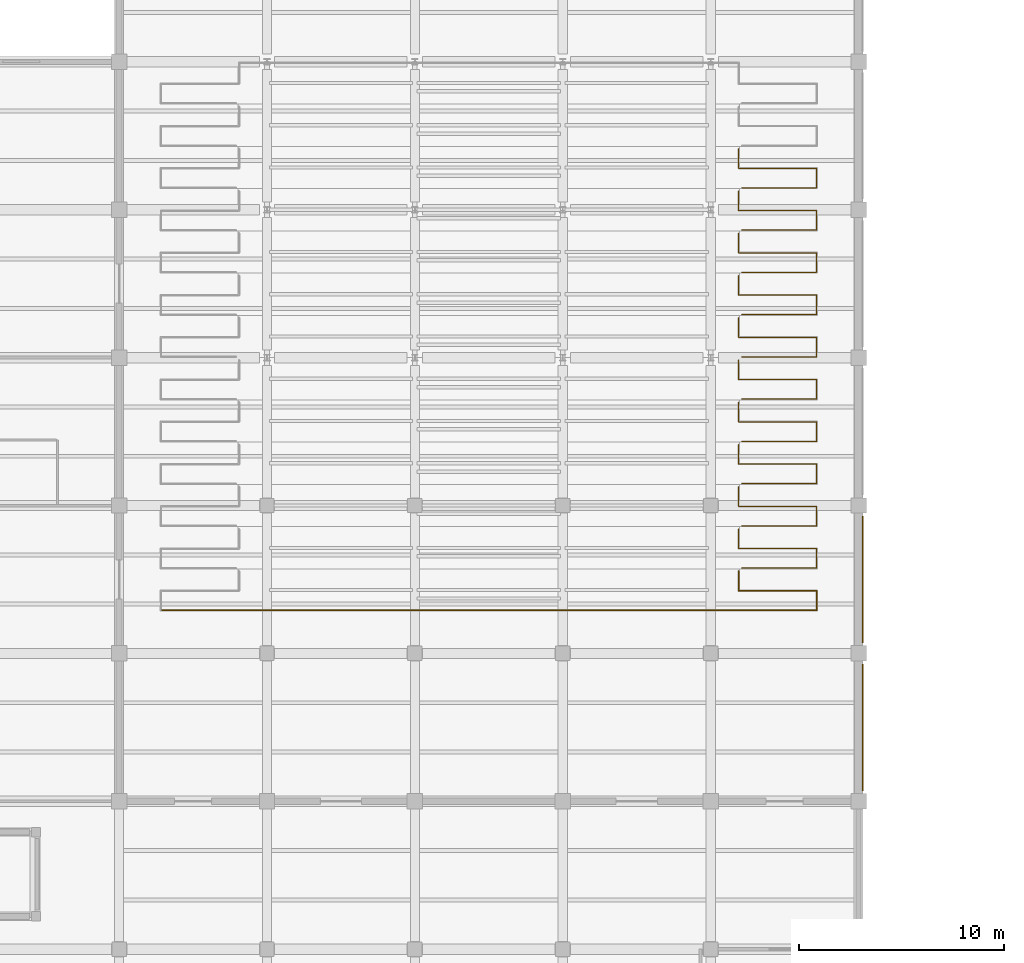
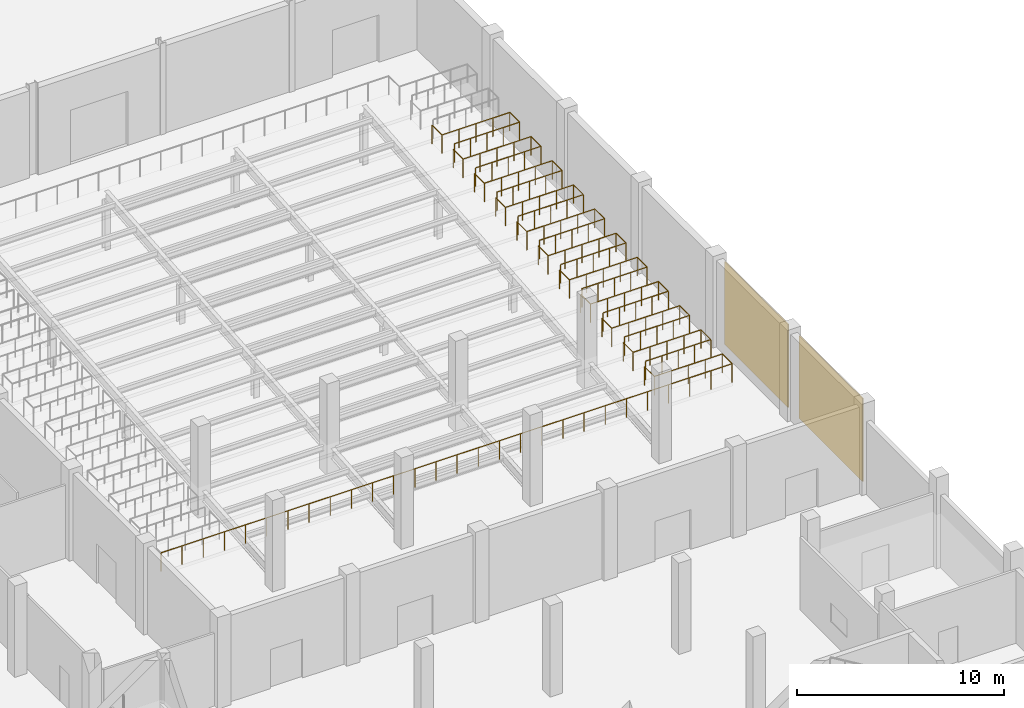
# One storey, part 39 of 46: 11 railings, 2 coverings.
"""IFC4 building model written with IfcOpenShell, lengths in metres."""

from ifc_helpers import new_model, si_unit, direction, frame, origin, origin_2d, place, context, subcontext, project, spatial, rectangle, circle, extrude, material, layer, layer_set, type_object, element, save


model = new_model("IFC4")

# Units and contexts
model_context = context("Model", 3, precision=1e-05, world=origin(), true_north=direction((0.0, 1.0)))
body_context = subcontext(model_context, "Body", "Model", "MODEL_VIEW")
ifc_project = project(units=[si_unit("LENGTHUNIT", "METRE"), si_unit("AREAUNIT", "SQUARE_METRE"), si_unit("VOLUMEUNIT", "CUBIC_METRE"), si_unit("PLANEANGLEUNIT", "RADIAN"), si_unit("MASSUNIT", "GRAM", prefix="KILO"), si_unit("THERMODYNAMICTEMPERATUREUNIT", "KELVIN"), si_unit("POWERUNIT", "WATT")], contexts=[model_context])

# Site, building, storey
site_placement = place(None, origin())
site = spatial("IfcSite", under=ifc_project, at=site_placement, CompositionType="ELEMENT")
building_placement = place(site_placement, origin())
building = spatial("IfcBuilding", under=site, at=building_placement, Name="Kaldorven Railside Theatre", CompositionType="ELEMENT")
storey_placement = place(building_placement, origin())
storey = spatial("IfcBuildingStorey", under=building, at=storey_placement, Name="L00", CompositionType="ELEMENT", Elevation=0.0)

# Coverings
ifc_material_1 = material(Name="Bush-hammered precast concrete C40/50", Category="concrete")
ifc_layer = layer(ifc_material_1, 0.050048828125, Name="Bush-hammered precast concrete C40/50")
ifc_layer_set = layer_set([ifc_layer], Name="Bush-hammered precast concrete C40/50")
covering_type = type_object("IfcCoveringType", Name="COV-CLD-01", PredefinedType="CLADDING", material=ifc_layer_set)
for number, where, z_axis, x_axis, name in (
    (1, (123.410888671875, 51.60009765625, 0.10009765625), (0.0, 0.0, 1.0), (0.0, -1.0, 0.0), "Bush-Hammered Laterite Rainscreen Panel CLD-005"),
    (2, (123.410888671875, 44.39990234375, 0.10009765625), (0.0, 0.0, 1.0), (0.0, -1.0, 0.0), "Bush-Hammered Laterite Rainscreen Panel CLD-006"),
):
    element("IfcCovering", number, at=place(storey_placement, frame(where, z_axis=z_axis, x_axis=x_axis)), inside=storey, type_object=covering_type, Name=name, PredefinedType="CLADDING", context=body_context, shape_type="SweptSolid", body=[
        extrude(rectangle(XDim=6.14990234375, YDim=0.050048828125, at=origin_2d()), origin(), (0.0, 0.0, 1.0), 4.89990234375),
    ])

# Railings
ifc_material_2 = material(Name="Anodised bronze aluminium", Category="aluminium")
railing_type = type_object("IfcRailingType", Name="RLG-BAL-1100", PredefinedType="BALUSTRADE", material=ifc_material_2)
railing_1_placement = place(storey_placement, frame((117.360107421875, 51.993896484375, 1.429931640625)))
element("IfcRailing", 3, at=railing_1_placement, inside=storey, type_object=railing_type, Name="L00 Auditorium Tier Safety Guard GR-002", PredefinedType="BALUSTRADE", context=body_context, shape_type="SweptSolid", body=[
    extrude(circle(Radius=0.02392578125, at=origin_2d()), frame((0.0, 0.0, 1.09619140625), z_axis=(0.0, -1.0, 0.0), x_axis=(1.0, 0.0, 0.0)), (0.0, 0.0, 1.0), 0.947998046875),
    extrude(circle(Radius=0.02392578125, at=origin_2d()), frame((0.0, -0.947998046875, 1.09619140625), z_axis=(1.0, 0.0, 0.0), x_axis=(0.0, 1.0, 0.0)), (0.0, 0.0, 1.0), 3.7998046875),
    extrude(circle(Radius=0.02392578125, at=origin_2d()), frame((3.7998046875, -0.947998046875, 1.09619140625), z_axis=(0.0, -1.0, 0.0), x_axis=(1.0, 0.0, 0.0)), (0.0, 0.0, 1.0), 0.948974609375),
    extrude(circle(Radius=0.02392578125, at=origin_2d()), frame((3.7998046875, -1.89697265625, 1.09619140625), z_axis=(-1.0, 0.0, 0.0), x_axis=(0.0, -1.0, 0.0)), (0.0, 0.0, 1.0), 31.919921875),
    extrude(circle(Radius=0.02099609375, at=origin_2d()), origin(), (0.0, 0.0, 1.0), 1.072021484375),
    extrude(circle(Radius=0.02099609375, at=origin_2d()), frame((0.0, -0.947998046875, 0.0)), (0.0, 0.0, 1.0), 1.072021484375),
    extrude(circle(Radius=0.02099609375, at=origin_2d()), frame((0.949951171875, -0.947998046875, 0.0)), (0.0, 0.0, 1.0), 1.072021484375),
    extrude(circle(Radius=0.02099609375, at=origin_2d()), frame((1.89990234375, -0.947998046875, 0.0)), (0.0, 0.0, 1.0), 1.072021484375),
    extrude(circle(Radius=0.02099609375, at=origin_2d()), frame((2.849853515625, -0.947998046875, 0.0)), (0.0, 0.0, 1.0), 1.072021484375),
    extrude(circle(Radius=0.02099609375, at=origin_2d()), frame((3.7998046875, -0.947998046875, 0.0)), (0.0, 0.0, 1.0), 1.072021484375),
    extrude(circle(Radius=0.02099609375, at=origin_2d()), frame((3.7998046875, -1.89697265625, 0.0)), (0.0, 0.0, 1.0), 1.072021484375),
    extrude(circle(Radius=0.02099609375, at=origin_2d()), frame((2.61767578125, -1.89697265625, 0.0)), (0.0, 0.0, 1.0), 1.072021484375),
    extrude(circle(Radius=0.02099609375, at=origin_2d()), frame((1.435302734375, -1.89697265625, 0.0)), (0.0, 0.0, 1.0), 1.072021484375),
    extrude(circle(Radius=0.02099609375, at=origin_2d()), frame((0.253173828125, -1.89697265625, 0.0)), (0.0, 0.0, 1.0), 1.072021484375),
    extrude(circle(Radius=0.02099609375, at=origin_2d()), frame((-0.928955078125, -1.89697265625, 0.0)), (0.0, 0.0, 1.0), 1.072021484375),
    extrude(circle(Radius=0.02099609375, at=origin_2d()), frame((-2.111328125, -1.89697265625, 0.0)), (0.0, 0.0, 1.0), 1.072021484375),
    extrude(circle(Radius=0.02099609375, at=origin_2d()), frame((-3.29345703125, -1.89697265625, 0.0)), (0.0, 0.0, 1.0), 1.072021484375),
    extrude(circle(Radius=0.02099609375, at=origin_2d()), frame((-4.475830078125, -1.89697265625, 0.0)), (0.0, 0.0, 1.0), 1.072021484375),
    extrude(circle(Radius=0.02099609375, at=origin_2d()), frame((-5.657958984375, -1.89697265625, 0.0)), (0.0, 0.0, 1.0), 1.072021484375),
    extrude(circle(Radius=0.02099609375, at=origin_2d()), frame((-6.840087890625, -1.89697265625, 0.0)), (0.0, 0.0, 1.0), 1.072021484375),
    extrude(circle(Radius=0.02099609375, at=origin_2d()), frame((-8.0224609375, -1.89697265625, 0.0)), (0.0, 0.0, 1.0), 1.072021484375),
    extrude(circle(Radius=0.02099609375, at=origin_2d()), frame((-9.20458984375, -1.89697265625, 0.0)), (0.0, 0.0, 1.0), 1.072021484375),
    extrude(circle(Radius=0.02099609375, at=origin_2d()), frame((-10.38671875, -1.89697265625, 0.0)), (0.0, 0.0, 1.0), 1.072021484375),
    extrude(circle(Radius=0.02099609375, at=origin_2d()), frame((-11.569091796875, -1.89697265625, 0.0)), (0.0, 0.0, 1.0), 1.072021484375),
    extrude(circle(Radius=0.02099609375, at=origin_2d()), frame((-12.751220703125, -1.89697265625, 0.0)), (0.0, 0.0, 1.0), 1.072021484375),
    extrude(circle(Radius=0.02099609375, at=origin_2d()), frame((-13.93359375, -1.89697265625, 0.0)), (0.0, 0.0, 1.0), 1.072021484375),
    extrude(circle(Radius=0.02099609375, at=origin_2d()), frame((-15.11572265625, -1.89697265625, 0.0)), (0.0, 0.0, 1.0), 1.072021484375),
    extrude(circle(Radius=0.02099609375, at=origin_2d()), frame((-16.2978515625, -1.89697265625, 0.0)), (0.0, 0.0, 1.0), 1.072021484375),
    extrude(circle(Radius=0.02099609375, at=origin_2d()), frame((-17.480224609375, -1.89697265625, 0.0)), (0.0, 0.0, 1.0), 1.072021484375),
    extrude(circle(Radius=0.02099609375, at=origin_2d()), frame((-18.662353515625, -1.89697265625, 0.0)), (0.0, 0.0, 1.0), 1.072021484375),
    extrude(circle(Radius=0.02099609375, at=origin_2d()), frame((-19.844482421875, -1.89697265625, 0.0)), (0.0, 0.0, 1.0), 1.072021484375),
    extrude(circle(Radius=0.02099609375, at=origin_2d()), frame((-21.02685546875, -1.89697265625, 0.0)), (0.0, 0.0, 1.0), 1.072021484375),
    extrude(circle(Radius=0.02099609375, at=origin_2d()), frame((-22.208984375, -1.89697265625, 0.0)), (0.0, 0.0, 1.0), 1.072021484375),
    extrude(circle(Radius=0.02099609375, at=origin_2d()), frame((-23.391357421875, -1.89697265625, 0.0)), (0.0, 0.0, 1.0), 1.072021484375),
    extrude(circle(Radius=0.02099609375, at=origin_2d()), frame((-24.573486328125, -1.89697265625, 0.0)), (0.0, 0.0, 1.0), 1.072021484375),
    extrude(circle(Radius=0.02099609375, at=origin_2d()), frame((-25.755615234375, -1.89697265625, 0.0)), (0.0, 0.0, 1.0), 1.072021484375),
    extrude(circle(Radius=0.02099609375, at=origin_2d()), frame((-26.93798828125, -1.89697265625, 0.0)), (0.0, 0.0, 1.0), 1.072021484375),
    extrude(circle(Radius=0.02099609375, at=origin_2d()), frame((-28.1201171875, -1.89697265625, 0.0)), (0.0, 0.0, 1.0), 1.072021484375),
])
railing_2_placement = place(storey_placement, frame((117.360107421875, 54.051025390625, 1.610107421875)))
element("IfcRailing", 4, at=railing_2_placement, inside=storey, type_object=railing_type, Name="L00 Auditorium Tier Safety Guard GR-004", PredefinedType="BALUSTRADE", context=body_context, shape_type="SweptSolid", body=[
    extrude(circle(Radius=0.02392578125, at=origin_2d()), frame((0.0, 0.0, 1.09619140625), z_axis=(0.0, -1.0, 0.0), x_axis=(1.0, 0.0, 0.0)), (0.0, 0.0, 1.0), 0.947998046875),
    extrude(circle(Radius=0.02392578125, at=origin_2d()), frame((0.0, -0.947998046875, 1.09619140625), z_axis=(1.0, 0.0, 0.0), x_axis=(0.0, 1.0, 0.0)), (0.0, 0.0, 1.0), 3.7998046875),
    extrude(circle(Radius=0.02392578125, at=origin_2d()), frame((3.7998046875, -0.947998046875, 1.09619140625), z_axis=(0.0, -1.0, 0.0), x_axis=(1.0, 0.0, 0.0)), (0.0, 0.0, 1.0), 0.948974609375),
    extrude(circle(Radius=0.02392578125, at=origin_2d()), frame((3.7998046875, -1.89697265625, 1.09619140625), z_axis=(-1.0, 0.0, 0.0), x_axis=(0.0, -1.0, 0.0)), (0.0, 0.0, 1.0), 3.64697265625),
    extrude(circle(Radius=0.02099609375, at=origin_2d()), origin(), (0.0, 0.0, 1.0), 1.072021484375),
    extrude(circle(Radius=0.02099609375, at=origin_2d()), frame((0.0, -0.947998046875, 0.0)), (0.0, 0.0, 1.0), 1.072021484375),
    extrude(circle(Radius=0.02099609375, at=origin_2d()), frame((0.949951171875, -0.947998046875, 0.0)), (0.0, 0.0, 1.0), 1.072021484375),
    extrude(circle(Radius=0.02099609375, at=origin_2d()), frame((1.89990234375, -0.947998046875, 0.0)), (0.0, 0.0, 1.0), 1.072021484375),
    extrude(circle(Radius=0.02099609375, at=origin_2d()), frame((2.849853515625, -0.947998046875, 0.0)), (0.0, 0.0, 1.0), 1.072021484375),
    extrude(circle(Radius=0.02099609375, at=origin_2d()), frame((3.7998046875, -0.947998046875, 0.0)), (0.0, 0.0, 1.0), 1.072021484375),
    extrude(circle(Radius=0.02099609375, at=origin_2d()), frame((3.7998046875, -1.89697265625, 0.0)), (0.0, 0.0, 1.0), 1.072021484375),
    extrude(circle(Radius=0.02099609375, at=origin_2d()), frame((2.88818359375, -1.89697265625, 0.0)), (0.0, 0.0, 1.0), 1.072021484375),
    extrude(circle(Radius=0.02099609375, at=origin_2d()), frame((1.976318359375, -1.89697265625, 0.0)), (0.0, 0.0, 1.0), 1.072021484375),
    extrude(circle(Radius=0.02099609375, at=origin_2d()), frame((1.064453125, -1.89697265625, 0.0)), (0.0, 0.0, 1.0), 1.072021484375),
    extrude(circle(Radius=0.02099609375, at=origin_2d()), frame((0.15283203125, -1.89697265625, 0.0)), (0.0, 0.0, 1.0), 1.072021484375),
])
railing_3_placement = place(storey_placement, frame((117.360107421875, 56.10791015625, 1.7900390625)))
element("IfcRailing", 5, at=railing_3_placement, inside=storey, type_object=railing_type, Name="L00 Auditorium Tier Safety Guard GR-007", PredefinedType="BALUSTRADE", context=body_context, shape_type="SweptSolid", body=[
    extrude(circle(Radius=0.02392578125, at=origin_2d()), frame((0.0, 0.0, 1.09619140625), z_axis=(0.0, -1.0, 0.0), x_axis=(1.0, 0.0, 0.0)), (0.0, 0.0, 1.0), 0.947998046875),
    extrude(circle(Radius=0.02392578125, at=origin_2d()), frame((0.0, -0.947998046875, 1.09619140625), z_axis=(1.0, 0.0, 0.0), x_axis=(0.0, 1.0, 0.0)), (0.0, 0.0, 1.0), 3.7998046875),
    extrude(circle(Radius=0.02392578125, at=origin_2d()), frame((3.7998046875, -0.947998046875, 1.09619140625), z_axis=(0.0, -1.0, 0.0), x_axis=(1.0, 0.0, 0.0)), (0.0, 0.0, 1.0), 0.948974609375),
    extrude(circle(Radius=0.02392578125, at=origin_2d()), frame((3.7998046875, -1.89697265625, 1.09619140625), z_axis=(-1.0, 0.0, 0.0), x_axis=(0.0, -1.0, 0.0)), (0.0, 0.0, 1.0), 3.64697265625),
    extrude(circle(Radius=0.02099609375, at=origin_2d()), origin(), (0.0, 0.0, 1.0), 1.072021484375),
    extrude(circle(Radius=0.02099609375, at=origin_2d()), frame((0.0, -0.947998046875, 0.0)), (0.0, 0.0, 1.0), 1.072021484375),
    extrude(circle(Radius=0.02099609375, at=origin_2d()), frame((0.949951171875, -0.947998046875, 0.0)), (0.0, 0.0, 1.0), 1.072021484375),
    extrude(circle(Radius=0.02099609375, at=origin_2d()), frame((1.89990234375, -0.947998046875, 0.0)), (0.0, 0.0, 1.0), 1.072021484375),
    extrude(circle(Radius=0.02099609375, at=origin_2d()), frame((2.849853515625, -0.947998046875, 0.0)), (0.0, 0.0, 1.0), 1.072021484375),
    extrude(circle(Radius=0.02099609375, at=origin_2d()), frame((3.7998046875, -0.947998046875, 0.0)), (0.0, 0.0, 1.0), 1.072021484375),
    extrude(circle(Radius=0.02099609375, at=origin_2d()), frame((3.7998046875, -1.89697265625, 0.0)), (0.0, 0.0, 1.0), 1.072021484375),
    extrude(circle(Radius=0.02099609375, at=origin_2d()), frame((2.88818359375, -1.89697265625, 0.0)), (0.0, 0.0, 1.0), 1.072021484375),
    extrude(circle(Radius=0.02099609375, at=origin_2d()), frame((1.976318359375, -1.89697265625, 0.0)), (0.0, 0.0, 1.0), 1.072021484375),
    extrude(circle(Radius=0.02099609375, at=origin_2d()), frame((1.064453125, -1.89697265625, 0.0)), (0.0, 0.0, 1.0), 1.072021484375),
    extrude(circle(Radius=0.02099609375, at=origin_2d()), frame((0.15283203125, -1.89697265625, 0.0)), (0.0, 0.0, 1.0), 1.072021484375),
])
railing_4_placement = place(storey_placement, frame((117.360107421875, 58.1650390625, 1.969970703125)))
element("IfcRailing", 6, at=railing_4_placement, inside=storey, type_object=railing_type, Name="L00 Auditorium Tier Safety Guard GR-010", PredefinedType="BALUSTRADE", context=body_context, shape_type="SweptSolid", body=[
    extrude(circle(Radius=0.02392578125, at=origin_2d()), frame((0.0, 0.0, 1.09619140625), z_axis=(0.0, -1.0, 0.0), x_axis=(1.0, 0.0, 0.0)), (0.0, 0.0, 1.0), 0.947998046875),
    extrude(circle(Radius=0.02392578125, at=origin_2d()), frame((0.0, -0.947998046875, 1.09619140625), z_axis=(1.0, 0.0, 0.0), x_axis=(0.0, 1.0, 0.0)), (0.0, 0.0, 1.0), 3.7998046875),
    extrude(circle(Radius=0.02392578125, at=origin_2d()), frame((3.7998046875, -0.947998046875, 1.09619140625), z_axis=(0.0, -1.0, 0.0), x_axis=(1.0, 0.0, 0.0)), (0.0, 0.0, 1.0), 0.948974609375),
    extrude(circle(Radius=0.02392578125, at=origin_2d()), frame((3.7998046875, -1.89697265625, 1.09619140625), z_axis=(-1.0, 0.0, 0.0), x_axis=(0.0, -1.0, 0.0)), (0.0, 0.0, 1.0), 3.64697265625),
    extrude(circle(Radius=0.02099609375, at=origin_2d()), origin(), (0.0, 0.0, 1.0), 1.072021484375),
    extrude(circle(Radius=0.02099609375, at=origin_2d()), frame((0.0, -0.947998046875, 0.0)), (0.0, 0.0, 1.0), 1.072021484375),
    extrude(circle(Radius=0.02099609375, at=origin_2d()), frame((0.949951171875, -0.947998046875, 0.0)), (0.0, 0.0, 1.0), 1.072021484375),
    extrude(circle(Radius=0.02099609375, at=origin_2d()), frame((1.89990234375, -0.947998046875, 0.0)), (0.0, 0.0, 1.0), 1.072021484375),
    extrude(circle(Radius=0.02099609375, at=origin_2d()), frame((2.849853515625, -0.947998046875, 0.0)), (0.0, 0.0, 1.0), 1.072021484375),
    extrude(circle(Radius=0.02099609375, at=origin_2d()), frame((3.7998046875, -0.947998046875, 0.0)), (0.0, 0.0, 1.0), 1.072021484375),
    extrude(circle(Radius=0.02099609375, at=origin_2d()), frame((3.7998046875, -1.89697265625, 0.0)), (0.0, 0.0, 1.0), 1.072021484375),
    extrude(circle(Radius=0.02099609375, at=origin_2d()), frame((2.88818359375, -1.89697265625, 0.0)), (0.0, 0.0, 1.0), 1.072021484375),
    extrude(circle(Radius=0.02099609375, at=origin_2d()), frame((1.976318359375, -1.89697265625, 0.0)), (0.0, 0.0, 1.0), 1.072021484375),
    extrude(circle(Radius=0.02099609375, at=origin_2d()), frame((1.064453125, -1.89697265625, 0.0)), (0.0, 0.0, 1.0), 1.072021484375),
    extrude(circle(Radius=0.02099609375, at=origin_2d()), frame((0.15283203125, -1.89697265625, 0.0)), (0.0, 0.0, 1.0), 1.072021484375),
])
railing_5_placement = place(storey_placement, frame((117.360107421875, 60.221923828125, 2.14990234375)))
element("IfcRailing", 7, at=railing_5_placement, inside=storey, type_object=railing_type, Name="L00 Auditorium Tier Safety Guard GR-013", PredefinedType="BALUSTRADE", context=body_context, shape_type="SweptSolid", body=[
    extrude(circle(Radius=0.02392578125, at=origin_2d()), frame((0.0, 0.0, 1.09619140625), z_axis=(0.0, -1.0, 0.0), x_axis=(1.0, 0.0, 0.0)), (0.0, 0.0, 1.0), 0.947998046875),
    extrude(circle(Radius=0.02392578125, at=origin_2d()), frame((0.0, -0.947998046875, 1.09619140625), z_axis=(1.0, 0.0, 0.0), x_axis=(0.0, 1.0, 0.0)), (0.0, 0.0, 1.0), 3.7998046875),
    extrude(circle(Radius=0.02392578125, at=origin_2d()), frame((3.7998046875, -0.947998046875, 1.09619140625), z_axis=(0.0, -1.0, 0.0), x_axis=(1.0, 0.0, 0.0)), (0.0, 0.0, 1.0), 0.948974609375),
    extrude(circle(Radius=0.02392578125, at=origin_2d()), frame((3.7998046875, -1.89697265625, 1.09619140625), z_axis=(-1.0, 0.0, 0.0), x_axis=(0.0, -1.0, 0.0)), (0.0, 0.0, 1.0), 3.64697265625),
    extrude(circle(Radius=0.02099609375, at=origin_2d()), origin(), (0.0, 0.0, 1.0), 1.072021484375),
    extrude(circle(Radius=0.02099609375, at=origin_2d()), frame((0.0, -0.947998046875, 0.0)), (0.0, 0.0, 1.0), 1.072021484375),
    extrude(circle(Radius=0.02099609375, at=origin_2d()), frame((0.949951171875, -0.947998046875, 0.0)), (0.0, 0.0, 1.0), 1.072021484375),
    extrude(circle(Radius=0.02099609375, at=origin_2d()), frame((1.89990234375, -0.947998046875, 0.0)), (0.0, 0.0, 1.0), 1.072021484375),
    extrude(circle(Radius=0.02099609375, at=origin_2d()), frame((2.849853515625, -0.947998046875, 0.0)), (0.0, 0.0, 1.0), 1.072021484375),
    extrude(circle(Radius=0.02099609375, at=origin_2d()), frame((3.7998046875, -0.947998046875, 0.0)), (0.0, 0.0, 1.0), 1.072021484375),
    extrude(circle(Radius=0.02099609375, at=origin_2d()), frame((3.7998046875, -1.89697265625, 0.0)), (0.0, 0.0, 1.0), 1.072021484375),
    extrude(circle(Radius=0.02099609375, at=origin_2d()), frame((2.88818359375, -1.89697265625, 0.0)), (0.0, 0.0, 1.0), 1.072021484375),
    extrude(circle(Radius=0.02099609375, at=origin_2d()), frame((1.976318359375, -1.89697265625, 0.0)), (0.0, 0.0, 1.0), 1.072021484375),
    extrude(circle(Radius=0.02099609375, at=origin_2d()), frame((1.064453125, -1.89697265625, 0.0)), (0.0, 0.0, 1.0), 1.072021484375),
    extrude(circle(Radius=0.02099609375, at=origin_2d()), frame((0.15283203125, -1.89697265625, 0.0)), (0.0, 0.0, 1.0), 1.072021484375),
])
railing_6_placement = place(storey_placement, frame((117.360107421875, 62.279052734375, 2.330078125)))
element("IfcRailing", 8, at=railing_6_placement, inside=storey, type_object=railing_type, Name="L00 Auditorium Tier Safety Guard GR-016", PredefinedType="BALUSTRADE", context=body_context, shape_type="SweptSolid", body=[
    extrude(circle(Radius=0.02392578125, at=origin_2d()), frame((0.0, 0.0, 1.09619140625), z_axis=(0.0, -1.0, 0.0), x_axis=(1.0, 0.0, 0.0)), (0.0, 0.0, 1.0), 0.947998046875),
    extrude(circle(Radius=0.02392578125, at=origin_2d()), frame((0.0, -0.947998046875, 1.09619140625), z_axis=(1.0, 0.0, 0.0), x_axis=(0.0, 1.0, 0.0)), (0.0, 0.0, 1.0), 3.7998046875),
    extrude(circle(Radius=0.02392578125, at=origin_2d()), frame((3.7998046875, -0.947998046875, 1.09619140625), z_axis=(0.0, -1.0, 0.0), x_axis=(1.0, 0.0, 0.0)), (0.0, 0.0, 1.0), 0.948974609375),
    extrude(circle(Radius=0.02392578125, at=origin_2d()), frame((3.7998046875, -1.89697265625, 1.09619140625), z_axis=(-1.0, 0.0, 0.0), x_axis=(0.0, -1.0, 0.0)), (0.0, 0.0, 1.0), 3.64697265625),
    extrude(circle(Radius=0.02099609375, at=origin_2d()), origin(), (0.0, 0.0, 1.0), 1.072021484375),
    extrude(circle(Radius=0.02099609375, at=origin_2d()), frame((0.0, -0.947998046875, 0.0)), (0.0, 0.0, 1.0), 1.072021484375),
    extrude(circle(Radius=0.02099609375, at=origin_2d()), frame((0.949951171875, -0.947998046875, 0.0)), (0.0, 0.0, 1.0), 1.072021484375),
    extrude(circle(Radius=0.02099609375, at=origin_2d()), frame((1.89990234375, -0.947998046875, 0.0)), (0.0, 0.0, 1.0), 1.072021484375),
    extrude(circle(Radius=0.02099609375, at=origin_2d()), frame((2.849853515625, -0.947998046875, 0.0)), (0.0, 0.0, 1.0), 1.072021484375),
    extrude(circle(Radius=0.02099609375, at=origin_2d()), frame((3.7998046875, -0.947998046875, 0.0)), (0.0, 0.0, 1.0), 1.072021484375),
    extrude(circle(Radius=0.02099609375, at=origin_2d()), frame((3.7998046875, -1.89697265625, 0.0)), (0.0, 0.0, 1.0), 1.072021484375),
    extrude(circle(Radius=0.02099609375, at=origin_2d()), frame((2.88818359375, -1.89697265625, 0.0)), (0.0, 0.0, 1.0), 1.072021484375),
    extrude(circle(Radius=0.02099609375, at=origin_2d()), frame((1.976318359375, -1.89697265625, 0.0)), (0.0, 0.0, 1.0), 1.072021484375),
    extrude(circle(Radius=0.02099609375, at=origin_2d()), frame((1.064453125, -1.89697265625, 0.0)), (0.0, 0.0, 1.0), 1.072021484375),
    extrude(circle(Radius=0.02099609375, at=origin_2d()), frame((0.15283203125, -1.89697265625, 0.0)), (0.0, 0.0, 1.0), 1.072021484375),
])
railing_7_placement = place(storey_placement, frame((117.360107421875, 64.3359375, 2.510009765625)))
element("IfcRailing", 9, at=railing_7_placement, inside=storey, type_object=railing_type, Name="L00 Auditorium Tier Safety Guard GR-019", PredefinedType="BALUSTRADE", context=body_context, shape_type="SweptSolid", body=[
    extrude(circle(Radius=0.02392578125, at=origin_2d()), frame((0.0, 0.0, 1.09619140625), z_axis=(0.0, -1.0, 0.0), x_axis=(1.0, 0.0, 0.0)), (0.0, 0.0, 1.0), 0.947998046875),
    extrude(circle(Radius=0.02392578125, at=origin_2d()), frame((0.0, -0.947998046875, 1.09619140625), z_axis=(1.0, 0.0, 0.0), x_axis=(0.0, 1.0, 0.0)), (0.0, 0.0, 1.0), 3.7998046875),
    extrude(circle(Radius=0.02392578125, at=origin_2d()), frame((3.7998046875, -0.947998046875, 1.09619140625), z_axis=(0.0, -1.0, 0.0), x_axis=(1.0, 0.0, 0.0)), (0.0, 0.0, 1.0), 0.948974609375),
    extrude(circle(Radius=0.02392578125, at=origin_2d()), frame((3.7998046875, -1.89697265625, 1.09619140625), z_axis=(-1.0, 0.0, 0.0), x_axis=(0.0, -1.0, 0.0)), (0.0, 0.0, 1.0), 3.64697265625),
    extrude(circle(Radius=0.02099609375, at=origin_2d()), origin(), (0.0, 0.0, 1.0), 1.072021484375),
    extrude(circle(Radius=0.02099609375, at=origin_2d()), frame((0.0, -0.947998046875, 0.0)), (0.0, 0.0, 1.0), 1.072021484375),
    extrude(circle(Radius=0.02099609375, at=origin_2d()), frame((0.949951171875, -0.947998046875, 0.0)), (0.0, 0.0, 1.0), 1.072021484375),
    extrude(circle(Radius=0.02099609375, at=origin_2d()), frame((1.89990234375, -0.947998046875, 0.0)), (0.0, 0.0, 1.0), 1.072021484375),
    extrude(circle(Radius=0.02099609375, at=origin_2d()), frame((2.849853515625, -0.947998046875, 0.0)), (0.0, 0.0, 1.0), 1.072021484375),
    extrude(circle(Radius=0.02099609375, at=origin_2d()), frame((3.7998046875, -0.947998046875, 0.0)), (0.0, 0.0, 1.0), 1.072021484375),
    extrude(circle(Radius=0.02099609375, at=origin_2d()), frame((3.7998046875, -1.89697265625, 0.0)), (0.0, 0.0, 1.0), 1.072021484375),
    extrude(circle(Radius=0.02099609375, at=origin_2d()), frame((2.88818359375, -1.89697265625, 0.0)), (0.0, 0.0, 1.0), 1.072021484375),
    extrude(circle(Radius=0.02099609375, at=origin_2d()), frame((1.976318359375, -1.89697265625, 0.0)), (0.0, 0.0, 1.0), 1.072021484375),
    extrude(circle(Radius=0.02099609375, at=origin_2d()), frame((1.064453125, -1.89697265625, 0.0)), (0.0, 0.0, 1.0), 1.072021484375),
    extrude(circle(Radius=0.02099609375, at=origin_2d()), frame((0.15283203125, -1.89697265625, 0.0)), (0.0, 0.0, 1.0), 1.072021484375),
])
railing_8_placement = place(storey_placement, frame((117.360107421875, 66.39306640625, 2.68994140625)))
element("IfcRailing", 10, at=railing_8_placement, inside=storey, type_object=railing_type, Name="L00 Auditorium Tier Safety Guard GR-022", PredefinedType="BALUSTRADE", context=body_context, shape_type="SweptSolid", body=[
    extrude(circle(Radius=0.02392578125, at=origin_2d()), frame((0.0, 0.0, 1.09619140625), z_axis=(0.0, -1.0, 0.0), x_axis=(1.0, 0.0, 0.0)), (0.0, 0.0, 1.0), 0.947998046875),
    extrude(circle(Radius=0.02392578125, at=origin_2d()), frame((0.0, -0.947998046875, 1.09619140625), z_axis=(1.0, 0.0, 0.0), x_axis=(0.0, 1.0, 0.0)), (0.0, 0.0, 1.0), 3.7998046875),
    extrude(circle(Radius=0.02392578125, at=origin_2d()), frame((3.7998046875, -0.947998046875, 1.09619140625), z_axis=(0.0, -1.0, 0.0), x_axis=(1.0, 0.0, 0.0)), (0.0, 0.0, 1.0), 0.948974609375),
    extrude(circle(Radius=0.02392578125, at=origin_2d()), frame((3.7998046875, -1.89697265625, 1.09619140625), z_axis=(-1.0, 0.0, 0.0), x_axis=(0.0, -1.0, 0.0)), (0.0, 0.0, 1.0), 3.64697265625),
    extrude(circle(Radius=0.02099609375, at=origin_2d()), origin(), (0.0, 0.0, 1.0), 1.072021484375),
    extrude(circle(Radius=0.02099609375, at=origin_2d()), frame((0.0, -0.947998046875, 0.0)), (0.0, 0.0, 1.0), 1.072021484375),
    extrude(circle(Radius=0.02099609375, at=origin_2d()), frame((0.949951171875, -0.947998046875, 0.0)), (0.0, 0.0, 1.0), 1.072021484375),
    extrude(circle(Radius=0.02099609375, at=origin_2d()), frame((1.89990234375, -0.947998046875, 0.0)), (0.0, 0.0, 1.0), 1.072021484375),
    extrude(circle(Radius=0.02099609375, at=origin_2d()), frame((2.849853515625, -0.947998046875, 0.0)), (0.0, 0.0, 1.0), 1.072021484375),
    extrude(circle(Radius=0.02099609375, at=origin_2d()), frame((3.7998046875, -0.947998046875, 0.0)), (0.0, 0.0, 1.0), 1.072021484375),
    extrude(circle(Radius=0.02099609375, at=origin_2d()), frame((3.7998046875, -1.89697265625, 0.0)), (0.0, 0.0, 1.0), 1.072021484375),
    extrude(circle(Radius=0.02099609375, at=origin_2d()), frame((2.88818359375, -1.89697265625, 0.0)), (0.0, 0.0, 1.0), 1.072021484375),
    extrude(circle(Radius=0.02099609375, at=origin_2d()), frame((1.976318359375, -1.89697265625, 0.0)), (0.0, 0.0, 1.0), 1.072021484375),
    extrude(circle(Radius=0.02099609375, at=origin_2d()), frame((1.064453125, -1.89697265625, 0.0)), (0.0, 0.0, 1.0), 1.072021484375),
    extrude(circle(Radius=0.02099609375, at=origin_2d()), frame((0.15283203125, -1.89697265625, 0.0)), (0.0, 0.0, 1.0), 1.072021484375),
])
railing_9_placement = place(storey_placement, frame((117.360107421875, 68.449951171875, 2.8701171875)))
element("IfcRailing", 11, at=railing_9_placement, inside=storey, type_object=railing_type, Name="L00 Auditorium Tier Safety Guard GR-025", PredefinedType="BALUSTRADE", context=body_context, shape_type="SweptSolid", body=[
    extrude(circle(Radius=0.02392578125, at=origin_2d()), frame((0.0, 0.0, 1.09619140625), z_axis=(0.0, -1.0, 0.0), x_axis=(1.0, 0.0, 0.0)), (0.0, 0.0, 1.0), 0.947998046875),
    extrude(circle(Radius=0.02392578125, at=origin_2d()), frame((0.0, -0.947998046875, 1.09619140625), z_axis=(1.0, 0.0, 0.0), x_axis=(0.0, 1.0, 0.0)), (0.0, 0.0, 1.0), 3.7998046875),
    extrude(circle(Radius=0.02392578125, at=origin_2d()), frame((3.7998046875, -0.947998046875, 1.09619140625), z_axis=(0.0, -1.0, 0.0), x_axis=(1.0, 0.0, 0.0)), (0.0, 0.0, 1.0), 0.948974609375),
    extrude(circle(Radius=0.02392578125, at=origin_2d()), frame((3.7998046875, -1.89697265625, 1.09619140625), z_axis=(-1.0, 0.0, 0.0), x_axis=(0.0, -1.0, 0.0)), (0.0, 0.0, 1.0), 3.64697265625),
    extrude(circle(Radius=0.02099609375, at=origin_2d()), origin(), (0.0, 0.0, 1.0), 1.072021484375),
    extrude(circle(Radius=0.02099609375, at=origin_2d()), frame((0.0, -0.947998046875, 0.0)), (0.0, 0.0, 1.0), 1.072021484375),
    extrude(circle(Radius=0.02099609375, at=origin_2d()), frame((0.949951171875, -0.947998046875, 0.0)), (0.0, 0.0, 1.0), 1.072021484375),
    extrude(circle(Radius=0.02099609375, at=origin_2d()), frame((1.89990234375, -0.947998046875, 0.0)), (0.0, 0.0, 1.0), 1.072021484375),
    extrude(circle(Radius=0.02099609375, at=origin_2d()), frame((2.849853515625, -0.947998046875, 0.0)), (0.0, 0.0, 1.0), 1.072021484375),
    extrude(circle(Radius=0.02099609375, at=origin_2d()), frame((3.7998046875, -0.947998046875, 0.0)), (0.0, 0.0, 1.0), 1.072021484375),
    extrude(circle(Radius=0.02099609375, at=origin_2d()), frame((3.7998046875, -1.89697265625, 0.0)), (0.0, 0.0, 1.0), 1.072021484375),
    extrude(circle(Radius=0.02099609375, at=origin_2d()), frame((2.88818359375, -1.89697265625, 0.0)), (0.0, 0.0, 1.0), 1.072021484375),
    extrude(circle(Radius=0.02099609375, at=origin_2d()), frame((1.976318359375, -1.89697265625, 0.0)), (0.0, 0.0, 1.0), 1.072021484375),
    extrude(circle(Radius=0.02099609375, at=origin_2d()), frame((1.064453125, -1.89697265625, 0.0)), (0.0, 0.0, 1.0), 1.072021484375),
    extrude(circle(Radius=0.02099609375, at=origin_2d()), frame((0.15283203125, -1.89697265625, 0.0)), (0.0, 0.0, 1.0), 1.072021484375),
])
railing_10_placement = place(storey_placement, frame((117.360107421875, 70.507080078125, 3.050048828125)))
element("IfcRailing", 12, at=railing_10_placement, inside=storey, type_object=railing_type, Name="L00 Auditorium Tier Safety Guard GR-028", PredefinedType="BALUSTRADE", context=body_context, shape_type="SweptSolid", body=[
    extrude(circle(Radius=0.02392578125, at=origin_2d()), frame((0.0, 0.0, 1.09619140625), z_axis=(0.0, -1.0, 0.0), x_axis=(1.0, 0.0, 0.0)), (0.0, 0.0, 1.0), 0.947998046875),
    extrude(circle(Radius=0.02392578125, at=origin_2d()), frame((0.0, -0.947998046875, 1.09619140625), z_axis=(1.0, 0.0, 0.0), x_axis=(0.0, 1.0, 0.0)), (0.0, 0.0, 1.0), 3.7998046875),
    extrude(circle(Radius=0.02392578125, at=origin_2d()), frame((3.7998046875, -0.947998046875, 1.09619140625), z_axis=(0.0, -1.0, 0.0), x_axis=(1.0, 0.0, 0.0)), (0.0, 0.0, 1.0), 0.948974609375),
    extrude(circle(Radius=0.02392578125, at=origin_2d()), frame((3.7998046875, -1.89697265625, 1.09619140625), z_axis=(-1.0, 0.0, 0.0), x_axis=(0.0, -1.0, 0.0)), (0.0, 0.0, 1.0), 3.64697265625),
    extrude(circle(Radius=0.02099609375, at=origin_2d()), origin(), (0.0, 0.0, 1.0), 1.072021484375),
    extrude(circle(Radius=0.02099609375, at=origin_2d()), frame((0.0, -0.947998046875, 0.0)), (0.0, 0.0, 1.0), 1.072021484375),
    extrude(circle(Radius=0.02099609375, at=origin_2d()), frame((0.949951171875, -0.947998046875, 0.0)), (0.0, 0.0, 1.0), 1.072021484375),
    extrude(circle(Radius=0.02099609375, at=origin_2d()), frame((1.89990234375, -0.947998046875, 0.0)), (0.0, 0.0, 1.0), 1.072021484375),
    extrude(circle(Radius=0.02099609375, at=origin_2d()), frame((2.849853515625, -0.947998046875, 0.0)), (0.0, 0.0, 1.0), 1.072021484375),
    extrude(circle(Radius=0.02099609375, at=origin_2d()), frame((3.7998046875, -0.947998046875, 0.0)), (0.0, 0.0, 1.0), 1.072021484375),
    extrude(circle(Radius=0.02099609375, at=origin_2d()), frame((3.7998046875, -1.89697265625, 0.0)), (0.0, 0.0, 1.0), 1.072021484375),
    extrude(circle(Radius=0.02099609375, at=origin_2d()), frame((2.88818359375, -1.89697265625, 0.0)), (0.0, 0.0, 1.0), 1.072021484375),
    extrude(circle(Radius=0.02099609375, at=origin_2d()), frame((1.976318359375, -1.89697265625, 0.0)), (0.0, 0.0, 1.0), 1.072021484375),
    extrude(circle(Radius=0.02099609375, at=origin_2d()), frame((1.064453125, -1.89697265625, 0.0)), (0.0, 0.0, 1.0), 1.072021484375),
    extrude(circle(Radius=0.02099609375, at=origin_2d()), frame((0.15283203125, -1.89697265625, 0.0)), (0.0, 0.0, 1.0), 1.072021484375),
])
railing_11_placement = place(storey_placement, frame((117.360107421875, 72.56396484375, 3.22998046875)))
element("IfcRailing", 13, at=railing_11_placement, inside=storey, type_object=railing_type, Name="L00 Auditorium Tier Safety Guard GR-031", PredefinedType="BALUSTRADE", context=body_context, shape_type="SweptSolid", body=[
    extrude(circle(Radius=0.02392578125, at=origin_2d()), frame((0.0, 0.0, 1.09619140625), z_axis=(0.0, -1.0, 0.0), x_axis=(1.0, 0.0, 0.0)), (0.0, 0.0, 1.0), 0.947998046875),
    extrude(circle(Radius=0.02392578125, at=origin_2d()), frame((0.0, -0.947998046875, 1.09619140625), z_axis=(1.0, 0.0, 0.0), x_axis=(0.0, 1.0, 0.0)), (0.0, 0.0, 1.0), 3.7998046875),
    extrude(circle(Radius=0.02392578125, at=origin_2d()), frame((3.7998046875, -0.947998046875, 1.09619140625), z_axis=(0.0, -1.0, 0.0), x_axis=(1.0, 0.0, 0.0)), (0.0, 0.0, 1.0), 0.948974609375),
    extrude(circle(Radius=0.02392578125, at=origin_2d()), frame((3.7998046875, -1.89697265625, 1.09619140625), z_axis=(-1.0, 0.0, 0.0), x_axis=(0.0, -1.0, 0.0)), (0.0, 0.0, 1.0), 3.64697265625),
    extrude(circle(Radius=0.02099609375, at=origin_2d()), origin(), (0.0, 0.0, 1.0), 1.072021484375),
    extrude(circle(Radius=0.02099609375, at=origin_2d()), frame((0.0, -0.947998046875, 0.0)), (0.0, 0.0, 1.0), 1.072021484375),
    extrude(circle(Radius=0.02099609375, at=origin_2d()), frame((0.949951171875, -0.947998046875, 0.0)), (0.0, 0.0, 1.0), 1.072021484375),
    extrude(circle(Radius=0.02099609375, at=origin_2d()), frame((1.89990234375, -0.947998046875, 0.0)), (0.0, 0.0, 1.0), 1.072021484375),
    extrude(circle(Radius=0.02099609375, at=origin_2d()), frame((2.849853515625, -0.947998046875, 0.0)), (0.0, 0.0, 1.0), 1.072021484375),
    extrude(circle(Radius=0.02099609375, at=origin_2d()), frame((3.7998046875, -0.947998046875, 0.0)), (0.0, 0.0, 1.0), 1.072021484375),
    extrude(circle(Radius=0.02099609375, at=origin_2d()), frame((3.7998046875, -1.89697265625, 0.0)), (0.0, 0.0, 1.0), 1.072021484375),
    extrude(circle(Radius=0.02099609375, at=origin_2d()), frame((2.88818359375, -1.89697265625, 0.0)), (0.0, 0.0, 1.0), 1.072021484375),
    extrude(circle(Radius=0.02099609375, at=origin_2d()), frame((1.976318359375, -1.89697265625, 0.0)), (0.0, 0.0, 1.0), 1.072021484375),
    extrude(circle(Radius=0.02099609375, at=origin_2d()), frame((1.064453125, -1.89697265625, 0.0)), (0.0, 0.0, 1.0), 1.072021484375),
    extrude(circle(Radius=0.02099609375, at=origin_2d()), frame((0.15283203125, -1.89697265625, 0.0)), (0.0, 0.0, 1.0), 1.072021484375),
])

save(model, "model.ifc")
